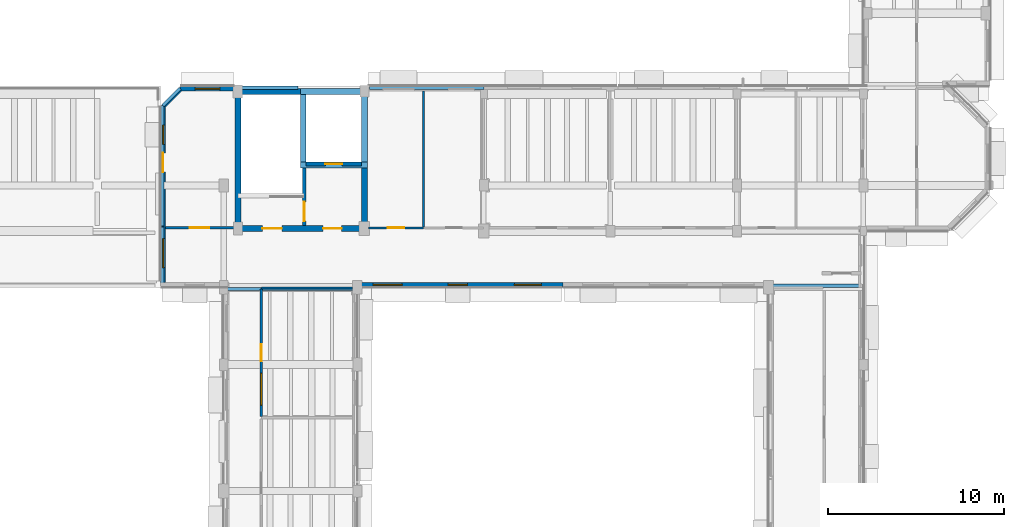
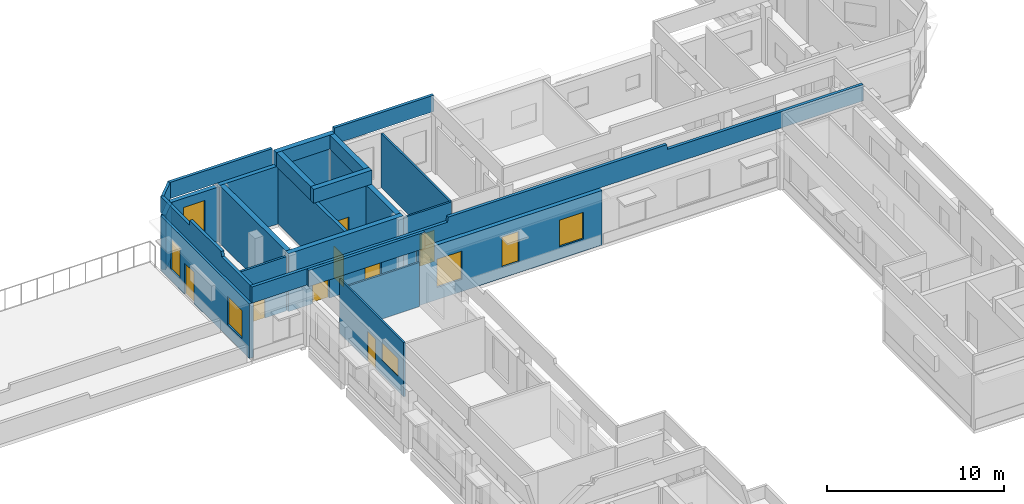
# One storey, part 8 of 17: 25 walls, 8 doors, 7 windows, 15 openings.
"""IFC4 building model written with IfcOpenShell, lengths in metres."""

from ifc_helpers import new_model, si_unit, direction, frame, frame_2d, origin, place, context, subcontext, project, spatial, polyline, rectangle, outline, extrude, material, layer, layer_set, type_object, element, fill, save


model = new_model("IFC4")

# Units and contexts
model_context = context("Model", 3, precision=1e-05, world=origin(), true_north=direction((0.0, 1.0)))
body_context = subcontext(model_context, "Body", "Model", "MODEL_VIEW")
ifc_project = project(units=[si_unit("LENGTHUNIT", "METRE"), si_unit("AREAUNIT", "SQUARE_METRE"), si_unit("VOLUMEUNIT", "CUBIC_METRE"), si_unit("PLANEANGLEUNIT", "RADIAN"), si_unit("MASSUNIT", "GRAM", prefix="KILO")], contexts=[model_context])

# Site, building, storey
site_placement = place(None, origin())
site = spatial("IfcSite", under=ifc_project, at=site_placement, CompositionType="ELEMENT")
building_placement = place(site_placement, origin())
building = spatial("IfcBuilding", under=site, at=building_placement, Name="Kelanivale Promenade Academy", CompositionType="ELEMENT")
storey_placement = place(building_placement, frame((0.0, 0.0, 20.199951171875)))
storey = spatial("IfcBuildingStorey", under=building, at=storey_placement, Name="L05", CompositionType="ELEMENT", Elevation=20.199951171875)

# Wall, openings, doors
ifc_material_1 = material(Name="Concrete C40/50", Category="concrete")
ifc_layer_1 = layer(ifc_material_1, 0.330078125)
ifc_layer_set_1 = layer_set([ifc_layer_1], Name="Concrete C40/50")
wall_type_1 = type_object("IfcWallType", Name="CW-S1 Wall 330mm", PredefinedType="SHEAR", material=ifc_layer_set_1)
wall_1_placement = place(storey_placement, frame((79.8349609375, 71.75, 0.0), z_axis=(0.0, 0.0, 1.0), x_axis=(1.0, 0.0, 0.0)))
wall_1 = element("IfcWall", 1, at=wall_1_placement, inside=storey, type_object=wall_type_1, Name="CORE-2 RC shear wall S L05", PredefinedType="SHEAR", context=body_context, shape_type="SweptSolid", body=[
    extrude(rectangle(XDim=7.530029296875, YDim=0.330078125, at=frame_2d((3.76513671875, 0.0))), origin(), (0.0, 0.0, 1.0), 4.0),
])
opening_1_placement = place(wall_1_placement, frame((5.014892578125, 0.0, 0.0)))
opening_1 = element("IfcOpeningElement", 2, at=opening_1_placement, cuts=wall_1, Name="Opening FD-CORE-2-LB-L05", PredefinedType="OPENING", context=body_context, shape_type="SweptSolid", body=[
    extrude(rectangle(XDim=1.050048828125, YDim=2.14990234375, at=frame_2d((0.52490234375, 1.074951171875))), frame((0.0, 0.175048828125, 0.0), z_axis=(0.0, -1.0, 0.0), x_axis=(1.0, 0.0, 0.0)), (0.0, 0.0, 1.0), 0.35009765625),
])
opening_2_placement = place(wall_1_placement, frame((1.56494140625, 0.0, 0.0)))
opening_2 = element("IfcOpeningElement", 3, at=opening_2_placement, cuts=wall_1, Name="Opening FD-CORE-2-ST-L05", PredefinedType="OPENING", context=body_context, shape_type="SweptSolid", body=[
    extrude(rectangle(XDim=1.10009765625, YDim=2.14990234375, at=frame_2d((0.550048828125, 1.074951171875))), frame((0.0, 0.175048828125, 0.0), z_axis=(0.0, -1.0, 0.0), x_axis=(1.0, 0.0, 0.0)), (0.0, 0.0, 1.0), 0.35009765625),
])
ifc_material_2 = material(Name="Fire-rated steel-core teak veneer", Category="steel")
door_type_1 = type_object("IfcDoorType", Name="DT-F01 Door 1100x2150", OperationType="NOTDEFINED", PredefinedType="DOOR", material=ifc_material_2)
door_1_placement = place(opening_2_placement, frame((1.10009765625, 0.0, 0.0), z_axis=(0.0, 0.0, 1.0), x_axis=(-1.0, 0.0, 0.0)))
door_1 = element("IfcDoor", 4, at=door_1_placement, inside=storey, type_object=door_type_1, Name="CORE-2 protected stair fire door L05", OperationType="SINGLE_SWING_RIGHT", OverallHeight=2.14990234375, OverallWidth=1.10009765625, PredefinedType="DOOR", context=body_context, shape_type="SweptSolid", body=[
    extrude(rectangle(XDim=1.10009765625, YDim=2.14990234375, at=frame_2d((0.550048828125, 1.074951171875))), frame((0.0, 0.02490234375, 0.0), z_axis=(0.0, -1.0, 0.0), x_axis=(1.0, 0.0, 0.0)), (0.0, 0.0, 1.0), 0.050048828125),
])
fill(opening_2, door_1)
door_type_2 = type_object("IfcDoorType", Name="DT-F03 Door 1050x2150", OperationType="NOTDEFINED", PredefinedType="DOOR", material=ifc_material_2)
door_2_placement = place(opening_1_placement, origin())
door_2 = element("IfcDoor", 5, at=door_2_placement, inside=storey, type_object=door_type_2, Name="CORE-2 corridor-to-lobby fire door L05", OperationType="SINGLE_SWING_LEFT", OverallHeight=2.14990234375, OverallWidth=1.050048828125, PredefinedType="DOOR", context=body_context, shape_type="SweptSolid", body=[
    extrude(rectangle(XDim=1.050048828125, YDim=2.14990234375, at=frame_2d((0.52490234375, 1.074951171875))), frame((0.0, 0.02490234375, 0.0), z_axis=(0.0, -1.0, 0.0), x_axis=(1.0, 0.0, 0.0)), (0.0, 0.0, 1.0), 0.050048828125),
])
fill(opening_1, door_2)

# Walls
wall_2_placement = place(storey_placement, frame((79.8349609375, 79.550048828125, 0.0), z_axis=(0.0, 0.0, 1.0), x_axis=(1.0, 0.0, 0.0)))
element("IfcWall", 6, at=wall_2_placement, inside=storey, type_object=wall_type_1, Name="CORE-2 RC shear wall N L05", PredefinedType="SHEAR", context=body_context, shape_type="SweptSolid", body=[
    extrude(rectangle(XDim=7.530029296875, YDim=0.330078125, at=frame_2d((3.76513671875, 0.0))), origin(), (0.0, 0.0, 1.0), 4.0),
])
for number, where, z_axis, x_axis, name in (
    (7, (80.0, 71.9150390625, 0.0), (0.0, 0.0, 1.0), (0.0, 1.0, 0.0), "CORE-2 RC shear wall W L05"),
    (8, (87.199951171875, 71.9150390625, 0.0), (0.0, 0.0, 1.0), (0.0, 1.0, 0.0), "CORE-2 RC shear wall E L05"),
):
    element("IfcWall", number, at=place(storey_placement, frame(where, z_axis=z_axis, x_axis=x_axis)), inside=storey, type_object=wall_type_1, Name=name, PredefinedType="SHEAR", context=body_context, shape_type="SweptSolid", body=[
        extrude(rectangle(XDim=7.469970703125, YDim=0.330078125, at=frame_2d((3.73486328125, 0.0))), origin(), (0.0, 0.0, 1.0), 4.0),
    ])
for number, where, z_axis, x_axis, name in (
    (9, (83.554931640625, 75.360107421875, 4.0), (0.0, 0.0, 1.0), (1.0, 0.0, 0.0), "CORE-2 lift overrun shaft wall S"),
    (10, (83.554931640625, 79.550048828125, 4.0), (0.0, 0.0, 1.0), (1.0, 0.0, 0.0), "CORE-2 lift overrun shaft wall N"),
):
    element("IfcWall", number, at=place(storey_placement, frame(where, z_axis=z_axis, x_axis=x_axis)), inside=storey, type_object=wall_type_1, Name=name, PredefinedType="SHEAR", context=body_context, shape_type="SweptSolid", body=[
        extrude(rectangle(XDim=3.81005859375, YDim=0.330078125, at=frame_2d((1.905029296875, 0.0))), origin(), (0.0, 0.0, 1.0), 0.9599609375),
    ])
for number, where, z_axis, x_axis, name in (
    (11, (83.719970703125, 75.52490234375, 4.0), (0.0, 0.0, 1.0), (0.0, 1.0, 0.0), "CORE-2 lift overrun shaft wall W"),
    (12, (87.199951171875, 75.52490234375, 4.0), (0.0, 0.0, 1.0), (0.0, 1.0, 0.0), "CORE-2 lift overrun shaft wall E"),
):
    element("IfcWall", number, at=place(storey_placement, frame(where, z_axis=z_axis, x_axis=x_axis)), inside=storey, type_object=wall_type_1, Name=name, PredefinedType="SHEAR", context=body_context, shape_type="SweptSolid", body=[
        extrude(rectangle(XDim=3.860107421875, YDim=0.330078125, at=frame_2d((1.93017578125, 0.0))), origin(), (0.0, 0.0, 1.0), 0.9599609375),
    ])

# Wall, opening, door
ifc_layer_2 = layer(ifc_material_1, 0.22509765625)
ifc_layer_set_2 = layer_set([ifc_layer_2], Name="Concrete C40/50")
wall_type_2 = type_object("IfcWallType", Name="CW-S2 Wall 225mm", PredefinedType="SHEAR", material=ifc_layer_set_2)
wall_3_placement = place(storey_placement, frame((83.885009765625, 75.419921875, 0.0), z_axis=(0.0, 0.0, 1.0), x_axis=(1.0, 0.0, 0.0)))
wall_3 = element("IfcWall", 13, at=wall_3_placement, inside=storey, type_object=wall_type_2, Name="CORE-2 lift shaft front RC wall L05", PredefinedType="SHEAR", context=body_context, shape_type="SweptSolid", body=[
    extrude(rectangle(XDim=3.14990234375, YDim=0.22509765625, at=frame_2d((1.574951171875, 0.0))), origin(), (0.0, 0.0, 1.0), 4.0),
])
opening_3_placement = place(wall_3_placement, frame((1.10009765625, 0.0, 0.0)))
opening_3 = element("IfcOpeningElement", 14, at=opening_3_placement, cuts=wall_3, Name="Opening LD-LF-FF2-L05", PredefinedType="OPENING", context=body_context, shape_type="SweptSolid", body=[
    extrude(rectangle(XDim=0.949951171875, YDim=2.14990234375, at=frame_2d((0.47509765625, 1.074951171875))), frame((0.0, 0.12255859375, 0.0), z_axis=(0.0, -1.0, 0.0), x_axis=(1.0, 0.0, 0.0)), (0.0, 0.0, 1.0), 0.2451171875),
])
door_type_3 = type_object("IfcDoorType", Name="LD-FF1 Door 950x2150", OperationType="NOTDEFINED", PredefinedType="DOOR", material=ifc_material_2)
door_3_placement = place(opening_3_placement, origin())
door_3 = element("IfcDoor", 15, at=door_3_placement, inside=storey, type_object=door_type_3, Name="Firefighting lift landing door LD-LF-FF2-L05", OperationType="SLIDING_TO_LEFT", OverallHeight=2.14990234375, OverallWidth=0.949951171875, PredefinedType="DOOR", context=body_context, shape_type="SweptSolid", body=[
    extrude(rectangle(XDim=0.949951171875, YDim=2.14990234375, at=frame_2d((0.47509765625, 1.074951171875))), frame((0.0, 0.02490234375, 0.0), z_axis=(0.0, -1.0, 0.0), x_axis=(1.0, 0.0, 0.0)), (0.0, 0.0, 1.0), 0.050048828125),
])
fill(opening_3, door_3)

ifc_layer_3 = layer(ifc_material_1, 0.219970703125)
ifc_layer_set_3 = layer_set([ifc_layer_3], Name="Concrete C40/50")
wall_type_3 = type_object("IfcWallType", Name="CW-S3 Wall 220mm", PredefinedType="SHEAR", material=ifc_layer_set_3)
wall_4_placement = place(storey_placement, frame((83.77490234375, 71.9150390625, 0.0), z_axis=(0.0, 0.0, 1.0), x_axis=(0.0, 1.0, 0.0)))
wall_4 = element("IfcWall", 16, at=wall_4_placement, inside=storey, type_object=wall_type_3, Name="CORE-2 stair-lobby dividing RC wall L05", PredefinedType="SHEAR", context=body_context, shape_type="SweptSolid", body=[
    extrude(rectangle(XDim=7.469970703125, YDim=0.219970703125, at=frame_2d((3.73486328125, 0.0))), origin(), (0.0, 0.0, 1.0), 4.0),
])
opening_4_placement = place(wall_4_placement, frame((0.25, 0.0, 0.0)))
opening_4 = element("IfcOpeningElement", 17, at=opening_4_placement, cuts=wall_4, Name="Opening FD-CORE-2-SL-L05", PredefinedType="OPENING", context=body_context, shape_type="SweptSolid", body=[
    extrude(rectangle(XDim=1.10009765625, YDim=2.14990234375, at=frame_2d((0.550048828125, 1.074951171875))), frame((0.0, 0.1201171875, 0.0), z_axis=(0.0, -1.0, 0.0), x_axis=(1.0, 0.0, 0.0)), (0.0, 0.0, 1.0), 0.239990234375),
])
door_4_placement = place(opening_4_placement, origin())
door_4 = element("IfcDoor", 18, at=door_4_placement, inside=storey, type_object=door_type_1, Name="CORE-2 lobby-to-stair fire door L05", OperationType="SINGLE_SWING_RIGHT", OverallHeight=2.14990234375, OverallWidth=1.10009765625, PredefinedType="DOOR", context=body_context, shape_type="SweptSolid", body=[
    extrude(rectangle(XDim=1.10009765625, YDim=2.14990234375, at=frame_2d((0.550048828125, 1.074951171875))), frame((0.0, 0.02490234375, 0.0), z_axis=(0.0, -1.0, 0.0), x_axis=(1.0, 0.0, 0.0)), (0.0, 0.0, 1.0), 0.050048828125),
])
fill(opening_4, door_4)

# Wall, openings, windows
ifc_material_3 = material(Name="Insulated ivory stucco masonry wall 280 mm", Category="masonry")
ifc_layer_4 = layer(ifc_material_3, 0.280029296875)
ifc_layer_set_4 = layer_set([ifc_layer_4], Name="Insulated ivory stucco masonry wall 280 mm")
wall_type_4 = type_object("IfcWallType", Name="EW-02 Wall 280mm", PredefinedType="SOLIDWALL", material=ifc_layer_set_4)
wall_5_placement = place(storey_placement, frame((86.52001953125, 68.5400390625, 0.0), z_axis=(0.0, 0.0, 1.0), x_axis=(1.0, 0.0, 0.0)))
wall_5 = element("IfcWall", 19, at=wall_5_placement, inside=storey, type_object=wall_type_4, Name="L05 exterior facade wall EW-L05-ORT-0561", PredefinedType="SOLIDWALL", context=body_context, shape_type="SweptSolid", body=[
    extrude(rectangle(XDim=11.97998046875, YDim=0.280029296875, at=frame_2d((5.989990234375, 0.0))), origin(), (0.0, 0.0, 1.0), 3.780029296875),
])
opening_5_placement = place(wall_5_placement, frame((1.172119140625, 0.0, 0.85009765625)))
opening_5 = element("IfcOpeningElement", 20, at=opening_5_placement, cuts=wall_5, Name="Opening WT-16", PredefinedType="OPENING", context=body_context, shape_type="SweptSolid", body=[
    extrude(rectangle(XDim=1.64990234375, YDim=1.949951171875, at=frame_2d((0.824951171875, 0.97509765625))), frame((0.0, 0.14990234375, 0.0), z_axis=(0.0, -1.0, 0.0), x_axis=(1.0, 0.0, 0.0)), (0.0, 0.0, 1.0), 0.300048828125),
])
opening_6_placement = place(wall_5_placement, frame((5.43994140625, 0.0, 0.75)))
opening_6 = element("IfcOpeningElement", 21, at=opening_6_placement, cuts=wall_5, Name="Opening WT-17", PredefinedType="OPENING", context=body_context, shape_type="SweptSolid", body=[
    extrude(rectangle(XDim=1.10009765625, YDim=2.10009765625, at=frame_2d((0.550048828125, 1.050048828125))), frame((0.0, 0.14990234375, 0.0), z_axis=(0.0, -1.0, 0.0), x_axis=(1.0, 0.0, 0.0)), (0.0, 0.0, 1.0), 0.300048828125),
])
opening_7_placement = place(wall_5_placement, frame((9.2080078125, 0.0, 0.85009765625)))
opening_7 = element("IfcOpeningElement", 22, at=opening_7_placement, cuts=wall_5, Name="Opening WT-31", PredefinedType="OPENING", context=body_context, shape_type="SweptSolid", body=[
    extrude(rectangle(XDim=1.550048828125, YDim=1.85009765625, at=frame_2d((0.77490234375, 0.925048828125))), frame((0.0, 0.14990234375, 0.0), z_axis=(0.0, -1.0, 0.0), x_axis=(1.0, 0.0, 0.0)), (0.0, 0.0, 1.0), 0.300048828125),
])
ifc_material_4 = material(Name="Bronze anodised aluminium frame with low-E laminated glass", Category="aluminium")
window_type_1 = type_object("IfcWindowType", Name="WT-16 Window 1650x1950", PartitioningType="SINGLE_PANEL", PredefinedType="WINDOW", material=ifc_material_4)
window_1_placement = place(opening_5_placement, origin())
window_1 = element("IfcWindow", 23, at=window_1_placement, inside=storey, type_object=window_type_1, Name="Window WT-16", OverallHeight=1.949951171875, OverallWidth=1.64990234375, PartitioningType="SINGLE_PANEL", PredefinedType="WINDOW", context=body_context, shape_type="SweptSolid", body=[
    extrude(rectangle(XDim=1.64990234375, YDim=1.949951171875, at=frame_2d((0.824951171875, 0.97509765625))), frame((0.0, 0.030029296875, 0.0), z_axis=(0.0, -1.0, 0.0), x_axis=(1.0, 0.0, 0.0)), (0.0, 0.0, 1.0), 0.06005859375),
])
fill(opening_5, window_1)
window_type_2 = type_object("IfcWindowType", Name="WT-17 Window 1100x2100", PartitioningType="SINGLE_PANEL", PredefinedType="WINDOW", material=ifc_material_4)
window_2_placement = place(opening_6_placement, origin())
window_2 = element("IfcWindow", 24, at=window_2_placement, inside=storey, type_object=window_type_2, Name="Window WT-17", OverallHeight=2.10009765625, OverallWidth=1.10009765625, PartitioningType="SINGLE_PANEL", PredefinedType="WINDOW", context=body_context, shape_type="SweptSolid", body=[
    extrude(rectangle(XDim=1.10009765625, YDim=2.10009765625, at=frame_2d((0.550048828125, 1.050048828125))), frame((0.0, 0.030029296875, 0.0), z_axis=(0.0, -1.0, 0.0), x_axis=(1.0, 0.0, 0.0)), (0.0, 0.0, 1.0), 0.06005859375),
])
fill(opening_6, window_2)
window_type_3 = type_object("IfcWindowType", Name="WT-31 Window 1550x1850", PartitioningType="SINGLE_PANEL", PredefinedType="WINDOW", material=ifc_material_4)
window_3_placement = place(opening_7_placement, origin())
window_3 = element("IfcWindow", 25, at=window_3_placement, inside=storey, type_object=window_type_3, Name="Window WT-31", OverallHeight=1.85009765625, OverallWidth=1.550048828125, PartitioningType="SINGLE_PANEL", PredefinedType="WINDOW", context=body_context, shape_type="SweptSolid", body=[
    extrude(rectangle(XDim=1.550048828125, YDim=1.85009765625, at=frame_2d((0.77490234375, 0.925048828125))), frame((0.0, 0.030029296875, 0.0), z_axis=(0.0, -1.0, 0.0), x_axis=(1.0, 0.0, 0.0)), (0.0, 0.0, 1.0), 0.06005859375),
])
fill(opening_7, window_3)

# Wall, opening, window
wall_6_placement = place(storey_placement, frame((79.8349609375, 79.7099609375, 0.0), z_axis=(0.0, 0.0, 1.0), x_axis=(-1.0, 0.0, 0.0)))
wall_6 = element("IfcWall", 26, at=wall_6_placement, inside=storey, type_object=wall_type_4, Name="L05 exterior facade wall EW-L05-ORT-0586", PredefinedType="SOLIDWALL", context=body_context, shape_type="SweptSolid", body=[
    extrude(rectangle(XDim=3.133056640625, YDim=0.280029296875, at=frame_2d((1.56640625, 0.0))), origin(), (0.0, 0.0, 1.0), 3.780029296875),
])
opening_8_placement = place(wall_6_placement, frame((0.865966796875, 0.0, 0.75)))
opening_8 = element("IfcOpeningElement", 27, at=opening_8_placement, cuts=wall_6, Name="Opening WT-13", PredefinedType="OPENING", context=body_context, shape_type="SweptSolid", body=[
    extrude(rectangle(XDim=1.39990234375, YDim=2.39990234375, at=frame_2d((0.699951171875, 1.199951171875))), frame((0.0, 0.14990234375, 0.0), z_axis=(0.0, -1.0, 0.0), x_axis=(1.0, 0.0, 0.0)), (0.0, 0.0, 1.0), 0.300048828125),
])
window_type_4 = type_object("IfcWindowType", Name="WT-13 Window 1400x2400", PartitioningType="SINGLE_PANEL", PredefinedType="WINDOW", material=ifc_material_4)
window_4_placement = place(opening_8_placement, origin())
window_4 = element("IfcWindow", 28, at=window_4_placement, inside=storey, type_object=window_type_4, Name="Window WT-13", OverallHeight=2.39990234375, OverallWidth=1.39990234375, PartitioningType="SINGLE_PANEL", PredefinedType="WINDOW", context=body_context, shape_type="SweptSolid", body=[
    extrude(rectangle(XDim=1.39990234375, YDim=2.39990234375, at=frame_2d((0.699951171875, 1.199951171875))), frame((0.0, 0.030029296875, 0.0), z_axis=(0.0, -1.0, 0.0), x_axis=(1.0, 0.0, 0.0)), (0.0, 0.0, 1.0), 0.06005859375),
])
fill(opening_8, window_4)

# Wall
wall_7_placement = place(storey_placement, frame((76.714111328125, 79.666015625, 0.0), z_axis=(0.0, 0.0, 1.0), x_axis=(-0.70719958344, -0.707013966752, 0.0)))
element("IfcWall", 29, at=wall_7_placement, inside=storey, type_object=wall_type_4, Name="L05 exterior facade wall EW-L05-ORT-0587", PredefinedType="SOLIDWALL", context=body_context, shape_type="SweptSolid", body=[
    extrude(rectangle(XDim=1.315185546875, YDim=0.280029296875, at=frame_2d((0.65771484375, 0.0))), origin(), (0.0, 0.0, 1.0), 3.780029296875),
])

# Wall, openings, door, windows
wall_8_placement = place(storey_placement, frame((75.739990234375, 78.748046875, 0.0), z_axis=(0.0, 0.0, 1.0), x_axis=(0.0, -1.0, 0.0)))
wall_8 = element("IfcWall", 30, at=wall_8_placement, inside=storey, type_object=wall_type_4, Name="L05 exterior facade wall EW-L05-ORT-0588", PredefinedType="SOLIDWALL", context=body_context, shape_type="SweptSolid", body=[
    extrude(rectangle(XDim=10.068115234375, YDim=0.280029296875, at=frame_2d((5.0341796875, 0.0))), origin(), (0.0, 0.0, 1.0), 3.780029296875),
])
opening_9_placement = place(wall_8_placement, frame((2.697998046875, 0.0, 0.0)))
opening_9 = element("IfcOpeningElement", 31, at=opening_9_placement, cuts=wall_8, Name="Opening XD-502", PredefinedType="OPENING", context=body_context, shape_type="SweptSolid", body=[
    extrude(rectangle(XDim=1.10009765625, YDim=2.14990234375, at=frame_2d((0.550048828125, 1.074951171875))), frame((0.0, 0.14990234375, 0.0), z_axis=(0.0, -1.0, 0.0), x_axis=(1.0, 0.0, 0.0)), (0.0, 0.0, 1.0), 0.300048828125),
])
opening_10_placement = place(wall_8_placement, frame((1.116943359375, 0.0, 0.75)))
opening_10 = element("IfcOpeningElement", 32, at=opening_10_placement, cuts=wall_8, Name="Opening WT-17", PredefinedType="OPENING", context=body_context, shape_type="SweptSolid", body=[
    extrude(rectangle(XDim=1.10009765625, YDim=2.10009765625, at=frame_2d((0.550048828125, 1.050048828125))), frame((0.0, 0.14990234375, 0.0), z_axis=(0.0, -1.0, 0.0), x_axis=(1.0, 0.0, 0.0)), (0.0, 0.0, 1.0), 0.300048828125),
])
opening_11_placement = place(wall_8_placement, frame((7.575927734375, 0.0, 0.85009765625)))
opening_11 = element("IfcOpeningElement", 33, at=opening_11_placement, cuts=wall_8, Name="Opening WT-16", PredefinedType="OPENING", context=body_context, shape_type="SweptSolid", body=[
    extrude(rectangle(XDim=1.64990234375, YDim=1.949951171875, at=frame_2d((0.824951171875, 0.97509765625))), frame((0.0, 0.14990234375, 0.0), z_axis=(0.0, -1.0, 0.0), x_axis=(1.0, 0.0, 0.0)), (0.0, 0.0, 1.0), 0.300048828125),
])
ifc_material_5 = material(Name="Bronze anodised aluminium and laminated glass", Category="aluminium")
door_type_4 = type_object("IfcDoorType", Name="DT-X07 Door 1100x2150", OperationType="NOTDEFINED", PredefinedType="DOOR", material=ifc_material_5)
door_5_placement = place(opening_9_placement, frame((1.10009765625, 0.0, 0.0), z_axis=(0.0, 0.0, 1.0), x_axis=(-1.0, 0.0, 0.0)))
door_5 = element("IfcDoor", 34, at=door_5_placement, inside=storey, type_object=door_type_4, Name="L05 West Sixth Form Play Deck door XD-502", OperationType="SINGLE_SWING_LEFT", OverallHeight=2.14990234375, OverallWidth=1.10009765625, PredefinedType="DOOR", context=body_context, shape_type="SweptSolid", body=[
    extrude(rectangle(XDim=1.10009765625, YDim=2.14990234375, at=frame_2d((0.550048828125, 1.074951171875))), frame((0.0, 0.02490234375, 0.0), z_axis=(0.0, -1.0, 0.0), x_axis=(1.0, 0.0, 0.0)), (0.0, 0.0, 1.0), 0.050048828125),
])
fill(opening_9, door_5)
window_5_placement = place(opening_11_placement, origin())
window_5 = element("IfcWindow", 35, at=window_5_placement, inside=storey, type_object=window_type_1, Name="Window WT-16", OverallHeight=1.949951171875, OverallWidth=1.64990234375, PartitioningType="SINGLE_PANEL", PredefinedType="WINDOW", context=body_context, shape_type="SweptSolid", body=[
    extrude(rectangle(XDim=1.64990234375, YDim=1.949951171875, at=frame_2d((0.824951171875, 0.97509765625))), frame((0.0, 0.030029296875, 0.0), z_axis=(0.0, -1.0, 0.0), x_axis=(1.0, 0.0, 0.0)), (0.0, 0.0, 1.0), 0.06005859375),
])
fill(opening_11, window_5)
window_6_placement = place(opening_10_placement, origin())
window_6 = element("IfcWindow", 36, at=window_6_placement, inside=storey, type_object=window_type_2, Name="Window WT-17", OverallHeight=2.10009765625, OverallWidth=1.10009765625, PartitioningType="SINGLE_PANEL", PredefinedType="WINDOW", context=body_context, shape_type="SweptSolid", body=[
    extrude(rectangle(XDim=1.10009765625, YDim=2.10009765625, at=frame_2d((0.550048828125, 1.050048828125))), frame((0.0, 0.030029296875, 0.0), z_axis=(0.0, -1.0, 0.0), x_axis=(1.0, 0.0, 0.0)), (0.0, 0.0, 1.0), 0.06005859375),
])
fill(opening_10, window_6)

# Wall, opening, door
ifc_material_6 = material(Name="Acoustic double-stud gypsum board partition 140 mm", Category="masonry")
ifc_layer_5 = layer(ifc_material_6, 0.139892578125)
ifc_layer_set_5 = layer_set([ifc_layer_5], Name="Acoustic double-stud gypsum board partition 140 mm")
wall_type_5 = type_object("IfcWallType", Name="IW-04 Wall 140mm", PredefinedType="PARTITIONING", material=ifc_layer_set_5)
wall_9_placement = place(storey_placement, frame((75.8779296875, 71.780029296875, 0.0), z_axis=(0.0, 0.0, 1.0), x_axis=(1.0, 0.0, 0.0)))
wall_9 = element("IfcWall", 37, at=wall_9_placement, inside=storey, type_object=wall_type_5, Name="L05 partition Sixth Form Study Commons", PredefinedType="PARTITIONING", context=body_context, shape_type="SweptSolid", body=[
    extrude(rectangle(XDim=3.89208984375, YDim=0.139892578125, at=frame_2d((1.946044921875, 0.0))), origin(), (0.0, 0.0, 1.0), 3.755126953125),
])
opening_12_placement = place(wall_9_placement, frame((1.39599609375, 0.0, 0.0)))
opening_12 = element("IfcOpeningElement", 38, at=opening_12_placement, cuts=wall_9, Name="Opening ID-L05-202", PredefinedType="OPENING", context=body_context, shape_type="SweptSolid", body=[
    extrude(rectangle(XDim=1.10009765625, YDim=2.10009765625, at=frame_2d((0.550048828125, 1.050048828125))), frame((0.0, 0.080078125, 0.0), z_axis=(0.0, -1.0, 0.0), x_axis=(1.0, 0.0, 0.0)), (0.0, 0.0, 1.0), 0.159912109375),
])
ifc_material_7 = material(Name="Solid-core tropical teak timber", Category="wood")
door_type_5 = type_object("IfcDoorType", Name="DT-I03 Door 1100x2100", OperationType="NOTDEFINED", PredefinedType="DOOR", material=ifc_material_7)
door_6_placement = place(opening_12_placement, origin())
door_6 = element("IfcDoor", 39, at=door_6_placement, inside=storey, type_object=door_type_5, Name="Sixth Form Study Commons door ID-L05-202", OperationType="SINGLE_SWING_LEFT", OverallHeight=2.10009765625, OverallWidth=1.10009765625, PredefinedType="DOOR", context=body_context, shape_type="SweptSolid", body=[
    extrude(rectangle(XDim=1.10009765625, YDim=2.10009765625, at=frame_2d((0.550048828125, 1.050048828125))), frame((0.0, 0.02490234375, 0.0), z_axis=(0.0, -1.0, 0.0), x_axis=(1.0, 0.0, 0.0)), (0.0, 0.0, 1.0), 0.050048828125),
])
fill(opening_12, door_6)

ifc_material_8 = material(Name="Moisture-resistant masonry wet-room partition 125 mm", Category="masonry")
ifc_layer_6 = layer(ifc_material_8, 0.125)
ifc_layer_set_6 = layer_set([ifc_layer_6], Name="Moisture-resistant masonry wet-room partition 125 mm")
wall_type_6 = type_object("IfcWallType", Name="IW-05 Wall 125mm", PredefinedType="PARTITIONING", material=ifc_layer_set_6)
wall_10_placement = place(storey_placement, frame((87.429931640625, 71.780029296875, 0.0), z_axis=(0.0, 0.0, 1.0), x_axis=(1.0, 0.0, 0.0)))
wall_10 = element("IfcWall", 40, at=wall_10_placement, inside=storey, type_object=wall_type_6, Name="L05 partition Wheelchair Accessible WC", PredefinedType="PARTITIONING", context=body_context, shape_type="SweptSolid", body=[
    extrude(rectangle(XDim=3.14013671875, YDim=0.125, at=frame_2d((1.570068359375, 0.0))), origin(), (0.0, 0.0, 1.0), 3.755126953125),
])
opening_13_placement = place(wall_10_placement, frame((1.094970703125, 0.0, 0.0)))
opening_13 = element("IfcOpeningElement", 41, at=opening_13_placement, cuts=wall_10, Name="Opening ID-L05-203", PredefinedType="OPENING", context=body_context, shape_type="SweptSolid", body=[
    extrude(rectangle(XDim=0.949951171875, YDim=2.14990234375, at=frame_2d((0.47509765625, 1.074951171875))), frame((0.0, 0.072509765625, 0.0), z_axis=(0.0, -1.0, 0.0), x_axis=(1.0, 0.0, 0.0)), (0.0, 0.0, 1.0), 0.14501953125),
])
door_type_6 = type_object("IfcDoorType", Name="DT-I05 Door 950x2150", OperationType="NOTDEFINED", PredefinedType="DOOR", material=ifc_material_7)
door_7_placement = place(opening_13_placement, frame((0.949951171875, 0.0, 0.0), z_axis=(0.0, 0.0, 1.0), x_axis=(-1.0, 0.0, 0.0)))
door_7 = element("IfcDoor", 42, at=door_7_placement, inside=storey, type_object=door_type_6, Name="Wheelchair Accessible WC door ID-L05-203", OperationType="SINGLE_SWING_RIGHT", OverallHeight=2.14990234375, OverallWidth=0.949951171875, PredefinedType="DOOR", context=body_context, shape_type="SweptSolid", body=[
    extrude(rectangle(XDim=0.949951171875, YDim=2.14990234375, at=frame_2d((0.47509765625, 1.074951171875))), frame((0.0, 0.02490234375, 0.0), z_axis=(0.0, -1.0, 0.0), x_axis=(1.0, 0.0, 0.0)), (0.0, 0.0, 1.0), 0.050048828125),
])
fill(opening_13, door_7)

# Walls
wall_11_placement = place(storey_placement, frame((90.570068359375, 71.841064453125, 0.0), z_axis=(0.0, 0.0, 1.0), x_axis=(0.0, 1.0, 0.0)))
element("IfcWall", 43, at=wall_11_placement, inside=storey, type_object=wall_type_6, Name="L05 partition Wheelchair Accessible WC", PredefinedType="PARTITIONING", context=body_context, shape_type="SweptSolid", body=[
    extrude(rectangle(XDim=7.73095703125, YDim=0.125, at=frame_2d((3.865478515625, 0.0))), origin(), (0.0, 0.0, 1.0), 3.755126953125),
])
ifc_material_9 = material(Name="Lightweight gypsum stud partition 115 mm", Category="masonry")
ifc_layer_7 = layer(ifc_material_9, 0.114990234375)
ifc_layer_set_7 = layer_set([ifc_layer_7], Name="Lightweight gypsum stud partition 115 mm")
wall_type_7 = type_object("IfcWallType", Name="IW-06 Wall 115mm", PredefinedType="PARTITIONING", material=ifc_layer_set_7)
wall_12_placement = place(storey_placement, frame((86.52197265625, 68.3701171875, 0.0), z_axis=(0.0, 0.0, 1.0), x_axis=(-1.0, 0.0, 0.0)))
element("IfcWall", 44, at=wall_12_placement, inside=storey, type_object=wall_type_7, Name="L05 partition Examinations Office", PredefinedType="PARTITIONING", context=body_context, shape_type="SweptSolid", body=[
    extrude(rectangle(XDim=5.19189453125, YDim=0.114990234375, at=frame_2d((2.595947265625, 0.0))), origin(), (0.0, 0.0, 1.0), 3.054931640625),
])

# Wall, openings, door, window
wall_13_placement = place(storey_placement, frame((81.330078125, 68.31396484375, 0.0), z_axis=(0.0, 0.0, 1.0), x_axis=(0.0, -1.0, 0.0)))
wall_13 = element("IfcWall", 45, at=wall_13_placement, inside=storey, type_object=wall_type_7, Name="L05 partition Examinations Office", PredefinedType="PARTITIONING", context=body_context, shape_type="SweptSolid", body=[
    extrude(rectangle(XDim=7.27587890625, YDim=0.114990234375, at=frame_2d((3.637939453125, 0.0))), origin(), (0.0, 0.0, 1.0), 3.755126953125),
])
opening_14_placement = place(wall_13_placement, frame((3.1630859375, 0.0, 0.0)))
opening_14 = element("IfcOpeningElement", 46, at=opening_14_placement, cuts=wall_13, Name="Opening ID-L05-201", PredefinedType="OPENING", context=body_context, shape_type="SweptSolid", body=[
    extrude(rectangle(XDim=0.949951171875, YDim=2.050048828125, at=frame_2d((0.47509765625, 1.02490234375))), frame((0.0, 0.0673828125, 0.0), z_axis=(0.0, -1.0, 0.0), x_axis=(1.0, 0.0, 0.0)), (0.0, 0.0, 1.0), 0.135009765625),
])
opening_15_placement = place(wall_13_placement, frame((4.81298828125, 0.0, 1.050048828125)))
opening_15 = element("IfcOpeningElement", 47, at=opening_15_placement, cuts=wall_13, Name="Opening WT-I02", PredefinedType="OPENING", context=body_context, shape_type="SweptSolid", body=[
    extrude(rectangle(XDim=1.800048828125, YDim=1.199951171875, at=frame_2d((0.89990234375, 0.60009765625))), frame((0.0, 0.0673828125, 0.0), z_axis=(0.0, -1.0, 0.0), x_axis=(1.0, 0.0, 0.0)), (0.0, 0.0, 1.0), 0.135009765625),
])
door_type_7 = type_object("IfcDoorType", Name="DT-I07 Door 950x2050", OperationType="NOTDEFINED", PredefinedType="DOOR", material=ifc_material_7)
door_8_placement = place(opening_14_placement, origin())
door_8 = element("IfcDoor", 48, at=door_8_placement, inside=storey, type_object=door_type_7, Name="Examinations Office door ID-L05-201", OperationType="SINGLE_SWING_RIGHT", OverallHeight=2.050048828125, OverallWidth=0.949951171875, PredefinedType="DOOR", context=body_context, shape_type="SweptSolid", body=[
    extrude(rectangle(XDim=0.949951171875, YDim=2.050048828125, at=frame_2d((0.47509765625, 1.02490234375))), frame((0.0, 0.02490234375, 0.0), z_axis=(0.0, -1.0, 0.0), x_axis=(1.0, 0.0, 0.0)), (0.0, 0.0, 1.0), 0.050048828125),
])
fill(opening_14, door_8)
window_type_5 = type_object("IfcWindowType", Name="WT-I02 Window 1800x1200", PartitioningType="SINGLE_PANEL", PredefinedType="WINDOW", material=ifc_material_4)
window_7_placement = place(opening_15_placement, origin())
window_7 = element("IfcWindow", 49, at=window_7_placement, inside=storey, type_object=window_type_5, Name="Interior observation window WT-I02", OverallHeight=1.199951171875, OverallWidth=1.800048828125, PartitioningType="SINGLE_PANEL", PredefinedType="WINDOW", context=body_context, shape_type="SweptSolid", body=[
    extrude(rectangle(XDim=1.800048828125, YDim=1.199951171875, at=frame_2d((0.89990234375, 0.60009765625))), frame((0.0, 0.030029296875, 0.0), z_axis=(0.0, -1.0, 0.0), x_axis=(1.0, 0.0, 0.0)), (0.0, 0.0, 1.0), 0.06005859375),
])
fill(opening_15, window_7)

# Walls
ifc_material_10 = material(Name="Precast concrete C40/50", Category="concrete")
ifc_layer_8 = layer(ifc_material_10, 0.195068359375)
ifc_layer_set_8 = layer_set([ifc_layer_8], Name="Precast concrete C40/50")
wall_type_8 = type_object("IfcWallType", Name="PW-01 Wall 195mm", PredefinedType="PARAPET", material=ifc_layer_set_8)
wall_14_placement = place(storey_placement, frame((86.799072265625, 68.302001953125, 4.0), z_axis=(0.0, 0.0, 1.0), x_axis=(-1.0, 0.0, 0.0)))
element("IfcWall", 50, at=wall_14_placement, inside=storey, type_object=wall_type_8, Name="RF stepped Art Deco roof parapet", PredefinedType="PARAPET", context=body_context, shape_type="SweptSolid", body=[
    extrude(rectangle(XDim=7.59814453125, YDim=0.195068359375, at=frame_2d((3.799072265625, 0.0))), origin(), (0.0, 0.0, 1.0), 1.1201171875),
])
wall_15_placement = place(storey_placement, frame((93.9990234375, 79.751953125, 4.0), z_axis=(0.0, 0.0, 1.0), x_axis=(-1.0, 0.0, 0.0)))
element("IfcWall", 51, at=wall_15_placement, inside=storey, type_object=wall_type_8, Name="RF stepped Art Deco roof parapet", PredefinedType="PARAPET", context=body_context, shape_type="SweptSolid", body=[
    extrude(rectangle(XDim=6.513916015625, YDim=0.195068359375, at=frame_2d((3.2568359375, 0.0))), origin(), (0.0, 0.0, 1.0), 1.1201171875),
])
wall_16_placement = place(storey_placement, frame((83.43505859375, 79.751953125, 4.0), z_axis=(0.0, 0.0, 1.0), x_axis=(-1.0, 0.0, 0.0)))
element("IfcWall", 52, at=wall_16_placement, inside=storey, type_object=wall_type_8, Name="RF stepped Art Deco roof parapet", PredefinedType="PARAPET", context=body_context, shape_type="SweptSolid", body=[
    extrude(rectangle(XDim=6.733154296875, YDim=0.195068359375, at=frame_2d((3.36669921875, 0.0))), origin(), (0.0, 0.0, 1.0), 1.1201171875),
])
wall_17_placement = place(storey_placement, frame((75.697998046875, 78.748046875, 4.0), z_axis=(0.0, 0.0, 1.0), x_axis=(0.0, -1.0, 0.0)))
element("IfcWall", 53, at=wall_17_placement, inside=storey, type_object=wall_type_8, Name="RF stepped Art Deco roof parapet", PredefinedType="PARAPET", context=body_context, shape_type="SweptSolid", body=[
    extrude(outline(polyline([(0.0, 0.0), (10.152099609375, 0.0), (10.152099609375, 1.1201171875), (6.903076171875, 1.1201171875), (6.85302734375, 1.4599609375), (3.299072265625, 1.4599609375), (3.2490234375, 1.1201171875), (0.0, 1.1201171875), (0.0, 0.0)])), frame((0.0, 0.09765625, 0.0), z_axis=(0.0, -1.0, 0.0), x_axis=(1.0, 0.0, 0.0)), (0.0, 0.0, 1.0), 0.195068359375),
])
wall_18_placement = place(storey_placement, frame((75.60009765625, 68.498046875, 4.0), z_axis=(0.0, 0.0, 1.0), x_axis=(1.0, 0.0, 0.0)))
element("IfcWall", 54, at=wall_18_placement, inside=storey, type_object=wall_type_8, Name="RF stepped Art Deco roof parapet", PredefinedType="PARAPET", context=body_context, shape_type="SweptSolid", body=[
    extrude(outline(polyline([(0.0, 0.0), (39.9990234375, 0.0), (39.9990234375, 1.1201171875), (27.198974609375, 1.1201171875), (27.14892578125, 1.4599609375), (12.85009765625, 1.4599609375), (12.800048828125, 1.1201171875), (0.0, 1.1201171875), (0.0, 0.0)])), frame((0.0, 0.09765625, 0.0), z_axis=(0.0, -1.0, 0.0), x_axis=(1.0, 0.0, 0.0)), (0.0, 0.0, 1.0), 0.195068359375),
])
ifc_layer_9 = layer(ifc_material_10, 0.1650390625)
ifc_layer_set_9 = layer_set([ifc_layer_9], Name="Precast concrete C40/50")
wall_type_9 = type_object("IfcWallType", Name="PW-02 Wall 165mm", PredefinedType="PARAPET", material=ifc_layer_set_9)
wall_19_placement = place(storey_placement, frame((76.7119140625, 79.722900390625, 4.0), z_axis=(0.0, 0.0, 1.0), x_axis=(-0.707106781187, -0.707106781187, 0.0)))
element("IfcWall", 55, at=wall_19_placement, inside=storey, type_object=wall_type_9, Name="RF stepped Art Deco roof parapet", PredefinedType="PARAPET", context=body_context, shape_type="SweptSolid", body=[
    extrude(rectangle(XDim=1.392822265625, YDim=0.1650390625, at=frame_2d((0.6962890625, 0.0))), origin(), (0.0, 0.0, 1.0), 1.1201171875),
])

save(model, "model.ifc")
